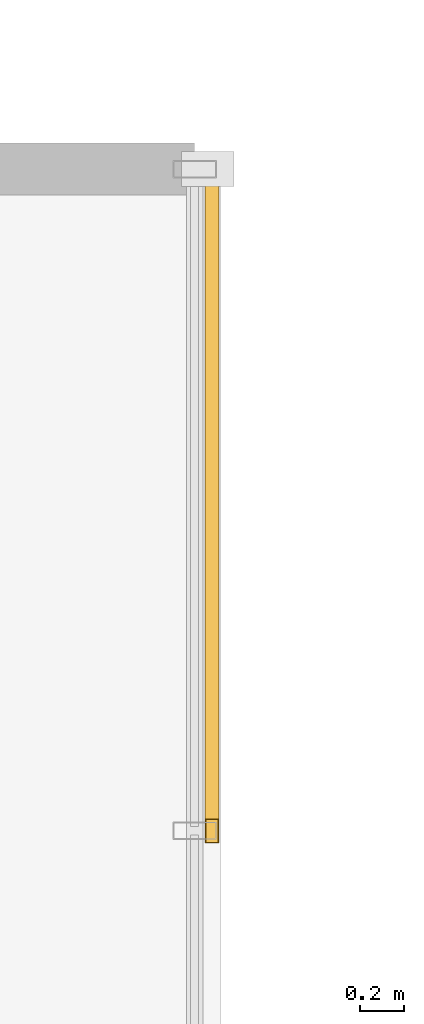
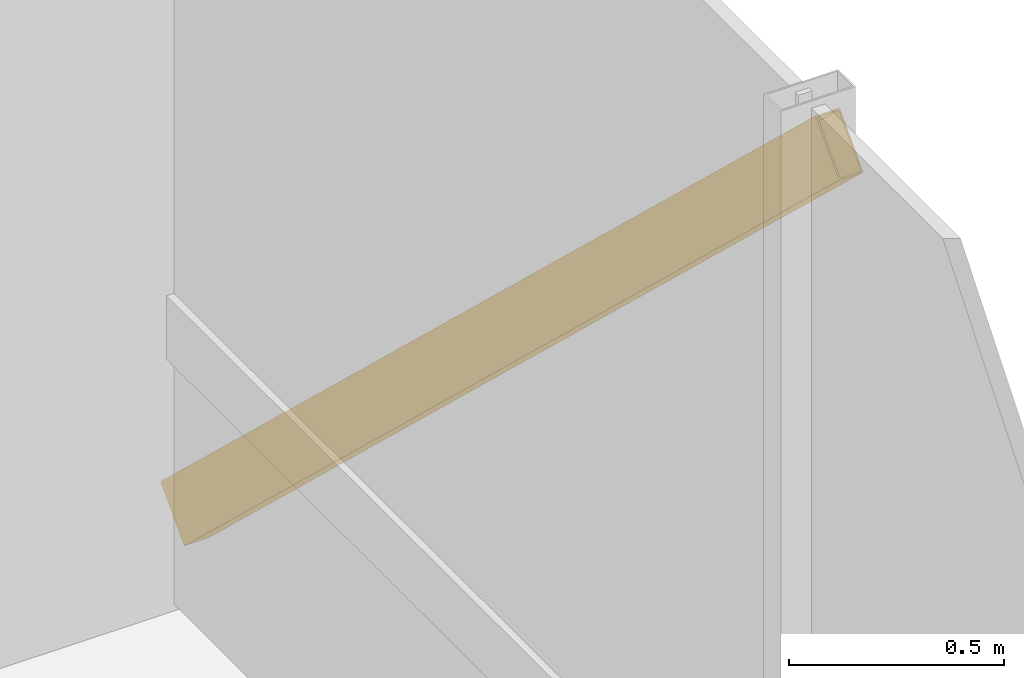
# One storey, part 34 of 34: 1 shading device.
"""IFC4 building model written with IfcOpenShell, lengths in metres."""

from ifc_helpers import new_model, si_unit, direction, frame, origin, origin_2d, place, context, subcontext, project, spatial, hollow_rectangle, extrude, material, material_profile, profile_set, type_object, element, save


model = new_model("IFC4")

# Units and contexts
model_context = context("Model", 3, precision=1e-05, world=origin(), true_north=direction((0.0, 1.0)))
body_context = subcontext(model_context, "Body", "Model", "MODEL_VIEW")
ifc_project = project(units=[si_unit("LENGTHUNIT", "METRE"), si_unit("AREAUNIT", "SQUARE_METRE"), si_unit("VOLUMEUNIT", "CUBIC_METRE"), si_unit("PLANEANGLEUNIT", "RADIAN"), si_unit("MASSUNIT", "GRAM", prefix="KILO")], contexts=[model_context])

# Site, building, storey
site_placement = place(None, origin())
site = spatial("IfcSite", under=ifc_project, at=site_placement, CompositionType="ELEMENT")
building_placement = place(site_placement, origin())
building = spatial("IfcBuilding", under=site, at=building_placement, Name="Drelvath Grand Hotel", CompositionType="ELEMENT")
storey_placement = place(building_placement, frame((0.0, 0.0, 112.800048828125)))
storey = spatial("IfcBuildingStorey", under=building, at=storey_placement, Name="L28", CompositionType="ELEMENT", Elevation=112.800048828125)

# Shading device
ifc_material = material(Name="Champagne Bronze Anodised Aluminium", Category="aluminium")
ifc_material_profile = material_profile(ifc_material, hollow_rectangle(XDim=0.06494140625, YDim=0.159912109375, WallThickness=0.00390625, at=origin_2d()), Name="HSS160X65X4")
ifc_profile_set = profile_set([ifc_material_profile], Name="Champagne Bronze Anodised Aluminium")
shading_device_type = type_object("IfcShadingDeviceType", Name="Diagonal Solar Fin Champagne Anodised HSS160X65X4", PredefinedType="USERDEFINED", material=ifc_profile_set)
shading_device_placement = place(storey_placement, frame((22.159912109375, 49.5, 0.179931640625), z_axis=(0.0, -0.72596953443, 0.68772686081), x_axis=(1.0, 0.0, 0.0)))
element("IfcShadingDevice", 1, at=shading_device_placement, inside=storey, type_object=shading_device_type, Name="L28 Diagonal Anodised Fin CW03-L28-EN3", ObjectType="FIN", PredefinedType="USERDEFINED", context=body_context, shape_type="SweptSolid", body=[
    extrude(hollow_rectangle(XDim=0.06494140625, YDim=0.159912109375, WallThickness=0.00390625, at=origin_2d()), origin(), (0.0, 0.0, 1.0), 4.18798828125),
])

save(model, "model.ifc")
